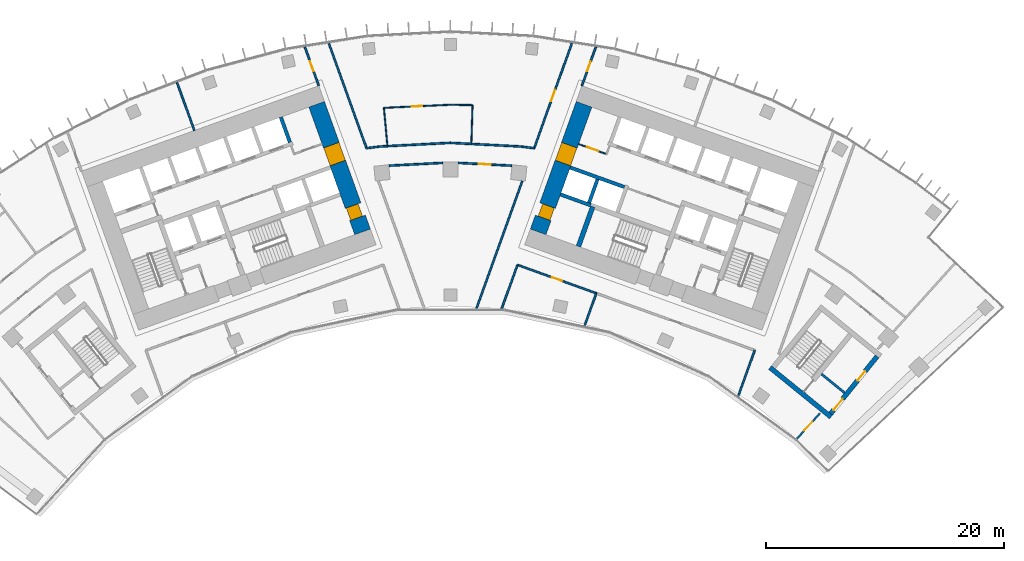
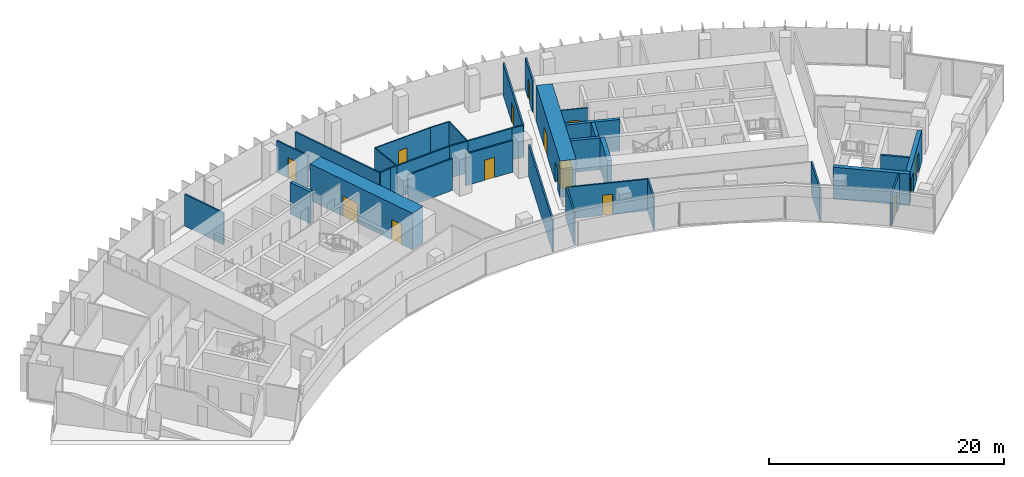
# One storey, part 16 of 21: 34 walls, 14 doors, 14 openings.
"""IFC4 building model written with IfcOpenShell, lengths in metres."""

from ifc_helpers import new_model, si_unit, direction, frame, frame_2d, origin, place, context, subcontext, project, spatial, rectangle, extrude, material, layer, layer_set, type_object, element, fill, save


model = new_model("IFC4")

# Units and contexts
model_context = context("Model", 3, precision=1e-05, world=origin(), true_north=direction((0.0, 1.0)))
body_context = subcontext(model_context, "Body", "Model", "MODEL_VIEW")
ifc_project = project(units=[si_unit("LENGTHUNIT", "METRE"), si_unit("AREAUNIT", "SQUARE_METRE"), si_unit("VOLUMEUNIT", "CUBIC_METRE"), si_unit("PLANEANGLEUNIT", "RADIAN"), si_unit("MASSUNIT", "GRAM", prefix="KILO")], contexts=[model_context])

# Site, building, storey
site_placement = place(None, origin())
site = spatial("IfcSite", under=ifc_project, at=site_placement, CompositionType="ELEMENT")
building_placement = place(site_placement, origin())
building = spatial("IfcBuilding", under=site, at=building_placement, Name="Stone Belt Terrace Tower", CompositionType="ELEMENT")
storey_placement = place(building_placement, frame((0.0, 0.0, 189.60009765625)))
storey = spatial("IfcBuildingStorey", under=building, at=storey_placement, Name="L46", CompositionType="ELEMENT", Elevation=189.60009765625)

# Wall, opening, door
ifc_material_1 = material(Name="Plasterboard partition")
ifc_layer_1 = layer(ifc_material_1, 0.10009765625)
ifc_layer_set_1 = layer_set([ifc_layer_1], Name="Core partition 100")
wall_type_1 = type_object("IfcWallType", Name="Core partition 100", PredefinedType="PARTITIONING", material=ifc_layer_set_1)
wall_1_placement = place(storey_placement, frame((13.085693359375, 56.294677734375, 0.0), z_axis=(0.0, 0.0, 1.0), x_axis=(-0.940922976849, 0.338620660383, 0.0)))
wall_1 = element("IfcWall", 1, at=wall_1_placement, inside=storey, type_object=wall_type_1, Name="Core B wall", PredefinedType="PARTITIONING", context=body_context, shape_type="SweptSolid", body=[
    extrude(rectangle(XDim=2.449951171875, YDim=0.10009765625, at=frame_2d((1.22509765625, 0.0))), origin(), (0.0, 0.0, 1.0), 3.2998046875),
])
opening_1_placement = place(wall_1_placement, frame((0.699951171875, 0.0, 0.0)))
opening_1 = element("IfcOpeningElement", 2, at=opening_1_placement, cuts=wall_1, Name="Opening L46-C11", PredefinedType="OPENING", context=body_context, shape_type="SweptSolid", body=[
    extrude(rectangle(XDim=1.0, YDim=2.10009765625, at=frame_2d((0.5, 1.050048828125))), frame((0.0, 0.06005859375, 0.0), z_axis=(0.0, -1.0, 0.0), x_axis=(1.0, 0.0, 0.0)), (0.0, 0.0, 1.0), 0.1201171875),
])
ifc_material_2 = material(Name="Timber door leaf", Category="wood")
door_type_1 = type_object("IfcDoorType", Name="Core room door 1000", OperationType="SINGLE_SWING_LEFT", PredefinedType="DOOR", material=ifc_material_2)
door_1_placement = place(opening_1_placement, origin())
door_1 = element("IfcDoor", 3, at=door_1_placement, inside=storey, type_object=door_type_1, Name="Door to Meeting store core B", OperationType="SINGLE_SWING_RIGHT", OverallHeight=2.10009765625, OverallWidth=1.0, PredefinedType="DOOR", context=body_context, shape_type="SweptSolid", body=[
    extrude(rectangle(XDim=1.0, YDim=2.10009765625, at=frame_2d((0.5, 1.050048828125))), frame((0.0, 0.02490234375, 0.0), z_axis=(0.0, -1.0, 0.0), x_axis=(1.0, 0.0, 0.0)), (0.0, 0.0, 1.0), 0.050048828125),
])
fill(opening_1, door_1)

# Wall, openings, doors
ifc_material_3 = material(Name="Concrete B80", Category="concrete")
ifc_layer_2 = layer(ifc_material_3, 1.39990234375)
ifc_layer_set_2 = layer_set([ifc_layer_2], Name="Core wall 1400 B80")
wall_type_2 = type_object("IfcWallType", Name="Core wall 1400 B80", PredefinedType="SHEAR", material=ifc_layer_set_2)
wall_2_placement = place(storey_placement, frame((-7.379150390625, 49.73974609375, 0.0), z_axis=(0.0, 0.0, 1.0), x_axis=(-0.338625431531, 0.940921259788, 0.0)))
wall_2 = element("IfcWall", 4, at=wall_2_placement, inside=storey, type_object=wall_type_2, Name="Core A wall end_b L46", PredefinedType="SHEAR", context=body_context, shape_type="SweptSolid", body=[
    extrude(rectangle(XDim=11.400146484375, YDim=1.39990234375, at=frame_2d((5.7001953125, 0.0))), origin(), (0.0, 0.0, 1.0), 3.7998046875),
])
opening_2_placement = place(wall_2_placement, frame((6.14990234375, 0.0, 0.0)))
opening_2 = element("IfcOpeningElement", 5, at=opening_2_placement, cuts=wall_2, Name="Opening L46-C04", PredefinedType="OPENING", context=body_context, shape_type="SweptSolid", body=[
    extrude(rectangle(XDim=1.60009765625, YDim=2.10009765625, at=frame_2d((0.800048828125, 1.050048828125))), frame((0.0, 0.7099609375, 0.0), z_axis=(0.0, -1.0, 0.0), x_axis=(1.0, 0.0, 0.0)), (0.0, 0.0, 1.0), 1.419921875),
])
opening_3_placement = place(wall_2_placement, frame((1.25, 0.0, 0.0)))
opening_3 = element("IfcOpeningElement", 6, at=opening_3_placement, cuts=wall_2, Name="Opening L46-C10", PredefinedType="OPENING", context=body_context, shape_type="SweptSolid", body=[
    extrude(rectangle(XDim=1.10009765625, YDim=2.10009765625, at=frame_2d((0.550048828125, 1.050048828125))), frame((0.0, 0.7099609375, 0.0), z_axis=(0.0, -1.0, 0.0), x_axis=(1.0, 0.0, 0.0)), (0.0, 0.0, 1.0), 1.419921875),
])
door_type_2 = type_object("IfcDoorType", Name="Core room door 1100", OperationType="SINGLE_SWING_LEFT", PredefinedType="DOOR", material=ifc_material_2)
door_2_placement = place(opening_3_placement, origin())
door_2 = element("IfcDoor", 7, at=door_2_placement, inside=storey, type_object=door_type_2, Name="Door to Electrical riser room core A", OperationType="SINGLE_SWING_LEFT", OverallHeight=2.10009765625, OverallWidth=1.10009765625, PredefinedType="DOOR", context=body_context, shape_type="SweptSolid", body=[
    extrude(rectangle(XDim=1.10009765625, YDim=2.10009765625, at=frame_2d((0.550048828125, 1.050048828125))), frame((0.0, 0.60498046875, 0.0), z_axis=(0.0, -1.0, 0.0), x_axis=(1.0, 0.0, 0.0)), (0.0, 0.0, 1.0), 1.050048828125),
])
fill(opening_3, door_2)
ifc_material_4 = material(Name="Glazed aluminium door leaf", Category="aluminium")
door_type_3 = type_object("IfcDoorType", Name="Lift lobby entrance door 1600", OperationType="DOUBLE_DOOR_SINGLE_SWING", PredefinedType="DOOR", material=ifc_material_4)
door_3_placement = place(opening_2_placement, origin())
door_3 = element("IfcDoor", 8, at=door_3_placement, inside=storey, type_object=door_type_3, Name="Lift lobby entrance door core A", OperationType="DOUBLE_DOOR_SINGLE_SWING", OverallHeight=2.10009765625, OverallWidth=1.60009765625, PredefinedType="DOOR", context=body_context, shape_type="SweptSolid", body=[
    extrude(rectangle(XDim=1.60009765625, YDim=2.10009765625, at=frame_2d((0.800048828125, 1.050048828125))), frame((0.0, 0.68017578125, 0.0), z_axis=(0.0, -1.0, 0.0), x_axis=(1.0, 0.0, 0.0)), (0.0, 0.0, 1.0), 1.360107421875),
])
fill(opening_2, door_3)

wall_3_placement = place(storey_placement, frame((7.379150390625, 49.73974609375, 0.0), z_axis=(0.0, 0.0, 1.0), x_axis=(0.338625431531, 0.940921259788, 0.0)))
wall_3 = element("IfcWall", 9, at=wall_3_placement, inside=storey, type_object=wall_type_2, Name="Core B wall end_a L46", PredefinedType="SHEAR", context=body_context, shape_type="SweptSolid", body=[
    extrude(rectangle(XDim=11.400146484375, YDim=1.39990234375, at=frame_2d((5.7001953125, 0.0))), origin(), (0.0, 0.0, 1.0), 3.7998046875),
])
opening_4_placement = place(wall_3_placement, frame((6.14990234375, 0.0, 0.0)))
opening_4 = element("IfcOpeningElement", 10, at=opening_4_placement, cuts=wall_3, Name="Opening L46-C14", PredefinedType="OPENING", context=body_context, shape_type="SweptSolid", body=[
    extrude(rectangle(XDim=1.60009765625, YDim=2.10009765625, at=frame_2d((0.800048828125, 1.050048828125))), frame((0.0, 0.7099609375, 0.0), z_axis=(0.0, -1.0, 0.0), x_axis=(1.0, 0.0, 0.0)), (0.0, 0.0, 1.0), 1.419921875),
])
opening_5_placement = place(wall_3_placement, frame((1.25, 0.0, 0.0)))
opening_5 = element("IfcOpeningElement", 11, at=opening_5_placement, cuts=wall_3, Name="Opening L46-C20", PredefinedType="OPENING", context=body_context, shape_type="SweptSolid", body=[
    extrude(rectangle(XDim=1.10009765625, YDim=2.10009765625, at=frame_2d((0.550048828125, 1.050048828125))), frame((0.0, 0.7099609375, 0.0), z_axis=(0.0, -1.0, 0.0), x_axis=(1.0, 0.0, 0.0)), (0.0, 0.0, 1.0), 1.419921875),
])
door_4_placement = place(opening_5_placement, origin())
door_4 = element("IfcDoor", 12, at=door_4_placement, inside=storey, type_object=door_type_2, Name="Door to Electrical riser room core B", OperationType="SINGLE_SWING_RIGHT", OverallHeight=2.10009765625, OverallWidth=1.10009765625, PredefinedType="DOOR", context=body_context, shape_type="SweptSolid", body=[
    extrude(rectangle(XDim=1.10009765625, YDim=2.10009765625, at=frame_2d((0.550048828125, 1.050048828125))), frame((0.0, 0.44482421875, 0.0), z_axis=(0.0, -1.0, 0.0), x_axis=(1.0, 0.0, 0.0)), (0.0, 0.0, 1.0), 1.050048828125),
])
fill(opening_5, door_4)
door_5_placement = place(opening_4_placement, origin())
door_5 = element("IfcDoor", 13, at=door_5_placement, inside=storey, type_object=door_type_3, Name="Lift lobby entrance door core B", OperationType="DOUBLE_DOOR_SINGLE_SWING", OverallHeight=2.10009765625, OverallWidth=1.60009765625, PredefinedType="DOOR", context=body_context, shape_type="SweptSolid", body=[
    extrude(rectangle(XDim=1.60009765625, YDim=2.10009765625, at=frame_2d((0.800048828125, 1.050048828125))), frame((0.0, 0.68017578125, 0.0), z_axis=(0.0, -1.0, 0.0), x_axis=(1.0, 0.0, 0.0)), (0.0, 0.0, 1.0), 1.360107421875),
])
fill(opening_4, door_5)

# Walls
ifc_layer_3 = layer(ifc_material_3, 0.300048828125)
ifc_layer_set_3 = layer_set([ifc_layer_3], Name="Lift shaft wall 300")
wall_type_3 = type_object("IfcWallType", Name="Lift shaft wall 300", PredefinedType="SHEAR", material=ifc_layer_set_3)
wall_4_placement = place(storey_placement, frame((-13.48828125, 57.265625, 0.0), z_axis=(0.0, 0.0, 1.0), x_axis=(-0.338631098537, 0.940919220286, 0.0)))
element("IfcWall", 14, at=wall_4_placement, inside=storey, type_object=wall_type_3, Name="Core A wall", PredefinedType="SHEAR", context=body_context, shape_type="SweptSolid", body=[
    extrude(rectangle(XDim=2.250244140625, YDim=0.300048828125, at=frame_2d((1.125, 0.0))), origin(), (0.0, 0.0, 1.0), 3.2998046875),
])
wall_5_placement = place(storey_placement, frame((14.6328125, 53.506103515625, 0.0), z_axis=(0.0, 0.0, 1.0), x_axis=(-0.940931684323, 0.338596464007, 0.0)))
element("IfcWall", 15, at=wall_5_placement, inside=storey, type_object=wall_type_3, Name="Core B wall", PredefinedType="SHEAR", context=body_context, shape_type="SweptSolid", body=[
    extrude(rectangle(XDim=4.849609375, YDim=0.300048828125, at=frame_2d((2.4248046875, 0.0))), origin(), (0.0, 0.0, 1.0), 3.2998046875),
])
wall_6_placement = place(storey_placement, frame((11.797119140625, 51.975830078125, 0.0), z_axis=(0.0, 0.0, 1.0), x_axis=(-0.940910465161, 0.33865542451, 0.0)))
element("IfcWall", 16, at=wall_6_placement, inside=storey, type_object=wall_type_3, Name="Core B wall", PredefinedType="SHEAR", context=body_context, shape_type="SweptSolid", body=[
    extrude(rectangle(XDim=2.69970703125, YDim=0.300048828125, at=frame_2d((1.349853515625, 0.0))), origin(), (0.0, 0.0, 1.0), 3.2998046875),
])
wall_7_placement = place(storey_placement, frame((11.659912109375, 52.184814453125, 0.0), z_axis=(0.0, 0.0, 1.0), x_axis=(0.338670064856, 0.940905195634, 0.0)))
element("IfcWall", 17, at=wall_7_placement, inside=storey, type_object=wall_type_3, Name="Core B wall", PredefinedType="SHEAR", context=body_context, shape_type="SweptSolid", body=[
    extrude(rectangle(XDim=2.099853515625, YDim=0.300048828125, at=frame_2d((1.0498046875, 0.0))), origin(), (0.0, 0.0, 1.0), 3.2998046875),
])
ifc_material_5 = material(Name="Gypsum board partition")
ifc_layer_4 = layer(ifc_material_5, 0.10009765625)
ifc_layer_set_4 = layer_set([ifc_layer_4], Name="PARTITION 100")
wall_type_4 = type_object("IfcWallType", Name="PARTITION 100", PredefinedType="PARTITIONING", material=ifc_layer_set_4)
wall_8_placement = place(storey_placement, frame((1.762939453125, 57.133056640625, 0.0), z_axis=(0.0, 0.0, 1.0), x_axis=(0.030961580112, 0.999520575354, 0.0)))
element("IfcWall", 18, at=wall_8_placement, inside=storey, type_object=wall_type_4, Name="L46/wall/i066", PredefinedType="PARTITIONING", context=body_context, shape_type="SweptSolid", body=[
    extrude(rectangle(XDim=3.264404296875, YDim=0.10009765625, at=frame_2d((1.63232421875, 0.0))), origin(), (0.0, 0.0, 1.0), 3.2998046875),
])
wall_9_placement = place(storey_placement, frame((1.864013671875, 60.39599609375, 0.0), z_axis=(0.0, 0.0, 1.0), x_axis=(-0.999878558611, 0.015584223769, 0.0)))
element("IfcWall", 19, at=wall_9_placement, inside=storey, type_object=wall_type_4, Name="L46/wall/i067", PredefinedType="PARTITIONING", context=body_context, shape_type="SweptSolid", body=[
    extrude(rectangle(XDim=1.8642578125, YDim=0.10009765625, at=frame_2d((0.93212890625, 0.0))), origin(), (0.0, 0.0, 1.0), 3.2998046875),
])

# Wall, opening, door
wall_10_placement = place(storey_placement, frame((0.0, 60.425048828125, 0.0), z_axis=(0.0, 0.0, 1.0), x_axis=(-0.998926532274, -0.046322598372, 0.0)))
wall_10 = element("IfcWall", 20, at=wall_10_placement, inside=storey, type_object=wall_type_4, Name="L46/wall/i068", PredefinedType="PARTITIONING", context=body_context, shape_type="SweptSolid", body=[
    extrude(rectangle(XDim=5.592041015625, YDim=0.10009765625, at=frame_2d((2.7958984375, 0.0))), origin(), (0.0, 0.0, 1.0), 3.2998046875),
])
opening_6_placement = place(wall_10_placement, frame((2.345947265625, 0.0, 0.0)))
opening_6 = element("IfcOpeningElement", 21, at=opening_6_placement, cuts=wall_10, Name="Opening D-C5-21", PredefinedType="OPENING", context=body_context, shape_type="SweptSolid", body=[
    extrude(rectangle(XDim=0.89990234375, YDim=2.10009765625, at=frame_2d((0.449951171875, 1.050048828125))), frame((0.0, 0.06005859375, 0.0), z_axis=(0.0, -1.0, 0.0), x_axis=(1.0, 0.0, 0.0)), (0.0, 0.0, 1.0), 0.1201171875),
])
door_type_4 = type_object("IfcDoorType", Name="OFFICE DOOR 900 X 2100", OperationType="NOTDEFINED", PredefinedType="DOOR", material=ifc_material_2)
door_6_placement = place(opening_6_placement, origin())
door_6 = element("IfcDoor", 22, at=door_6_placement, inside=storey, type_object=door_type_4, Name="L46/door/i21", OperationType="SINGLE_SWING_RIGHT", OverallHeight=2.10009765625, OverallWidth=0.89990234375, PredefinedType="DOOR", context=body_context, shape_type="SweptSolid", body=[
    extrude(rectangle(XDim=0.89990234375, YDim=2.10009765625, at=frame_2d((0.449951171875, 1.050048828125))), frame((0.0, 0.02490234375, 0.0), z_axis=(0.0, -1.0, 0.0), x_axis=(1.0, 0.0, 0.0)), (0.0, 0.0, 1.0), 0.050048828125),
])
fill(opening_6, door_6)

# Wall
wall_11_placement = place(storey_placement, frame((-5.5859375, 60.166015625, 0.0), z_axis=(0.0, 0.0, 1.0), x_axis=(0.092463130061, -0.995716108928, 0.0)))
element("IfcWall", 23, at=wall_11_placement, inside=storey, type_object=wall_type_4, Name="L46/wall/i069", PredefinedType="PARTITIONING", context=body_context, shape_type="SweptSolid", body=[
    extrude(rectangle(XDim=3.23193359375, YDim=0.10009765625, at=frame_2d((1.615966796875, 0.0))), origin(), (0.0, 0.0, 1.0), 3.2998046875),
])

# Wall, opening, door
ifc_layer_5 = layer(ifc_material_5, 0.14990234375)
ifc_layer_set_5 = layer_set([ifc_layer_5], Name="PARTITION 150 EI 60")
wall_type_5 = type_object("IfcWallType", Name="PARTITION 150 EI 60", PredefinedType="PARTITIONING", material=ifc_layer_set_5)
wall_12_placement = place(storey_placement, frame((-11.054931640625, 62.02099609375, 0.0), z_axis=(0.0, 0.0, 1.0), x_axis=(-0.338853532575, 0.94083913793, 0.0)))
wall_12 = element("IfcWall", 24, at=wall_12_placement, inside=storey, type_object=wall_type_5, Name="L46/wall/i008", PredefinedType="PARTITIONING", context=body_context, shape_type="SweptSolid", body=[
    extrude(rectangle(XDim=3.482177734375, YDim=0.14990234375, at=frame_2d((1.7412109375, 0.0))), origin(), (0.0, 0.0, 1.0), 3.2998046875),
])
opening_7_placement = place(wall_12_placement, frame((1.291015625, 0.0, 0.0)))
opening_7 = element("IfcOpeningElement", 25, at=opening_7_placement, cuts=wall_12, Name="Opening D-C5-04", PredefinedType="OPENING", context=body_context, shape_type="SweptSolid", body=[
    extrude(rectangle(XDim=0.89990234375, YDim=2.10009765625, at=frame_2d((0.449951171875, 1.050048828125))), frame((0.0, 0.0849609375, 0.0), z_axis=(0.0, -1.0, 0.0), x_axis=(1.0, 0.0, 0.0)), (0.0, 0.0, 1.0), 0.169921875),
])
door_7_placement = place(opening_7_placement, origin())
door_7 = element("IfcDoor", 26, at=door_7_placement, inside=storey, type_object=door_type_4, Name="L46/door/i04", OperationType="SINGLE_SWING_RIGHT", OverallHeight=2.10009765625, OverallWidth=0.89990234375, PredefinedType="DOOR", context=body_context, shape_type="SweptSolid", body=[
    extrude(rectangle(XDim=0.89990234375, YDim=2.10009765625, at=frame_2d((0.449951171875, 1.050048828125))), frame((0.0, 0.02490234375, 0.0), z_axis=(0.0, -1.0, 0.0), x_axis=(1.0, 0.0, 0.0)), (0.0, 0.0, 1.0), 0.050048828125),
])
fill(opening_7, door_7)

# Walls
wall_13_placement = place(storey_placement, frame((-10.223876953125, 65.6162109375, 0.0), z_axis=(0.0, 0.0, 1.0), x_axis=(0.338637655092, -0.940916860596, 0.0)))
element("IfcWall", 27, at=wall_13_placement, inside=storey, type_object=wall_type_5, Name="L46/wall/i010", PredefinedType="PARTITIONING", context=body_context, shape_type="SweptSolid", body=[
    extrude(rectangle(XDim=9.40478515625, YDim=0.14990234375, at=frame_2d((4.702392578125, 0.0))), origin(), (0.0, 0.0, 1.0), 3.2998046875),
])
wall_14_placement = place(storey_placement, frame((-22.978759765625, 62.31201171875, 0.0), z_axis=(0.0, 0.0, 1.0), x_axis=(0.338545023912, -0.940950193573, 0.0)))
element("IfcWall", 28, at=wall_14_placement, inside=storey, type_object=wall_type_5, Name="L46/wall/i015", PredefinedType="PARTITIONING", context=body_context, shape_type="SweptSolid", body=[
    extrude(rectangle(XDim=4.311767578125, YDim=0.14990234375, at=frame_2d((2.15576171875, 0.0))), origin(), (0.0, 0.0, 1.0), 3.2998046875),
])
wall_15_placement = place(storey_placement, frame((5.638916015625, 46.971923828125, 0.0), z_axis=(0.0, 0.0, 1.0), x_axis=(-0.338490436495, -0.940969831823, 0.0)))
element("IfcWall", 29, at=wall_15_placement, inside=storey, type_object=wall_type_5, Name="L46/wall/i016", PredefinedType="PARTITIONING", context=body_context, shape_type="SweptSolid", body=[
    extrude(rectangle(XDim=3.92578125, YDim=0.14990234375, at=frame_2d((1.962890625, 0.0))), origin(), (0.0, 0.0, 1.0), 3.2998046875),
])

# Wall, opening, door
wall_16_placement = place(storey_placement, frame((12.23486328125, 65.297119140625, 0.0), z_axis=(0.0, 0.0, 1.0), x_axis=(-0.338853532575, -0.94083913793, 0.0)))
wall_16 = element("IfcWall", 30, at=wall_16_placement, inside=storey, type_object=wall_type_5, Name="L46/wall/i017", PredefinedType="PARTITIONING", context=body_context, shape_type="SweptSolid", body=[
    extrude(rectangle(XDim=3.482177734375, YDim=0.14990234375, at=frame_2d((1.7412109375, 0.0))), origin(), (0.0, 0.0, 1.0), 3.2998046875),
])
opening_8_placement = place(wall_16_placement, frame((1.291015625, 0.0, 0.0)))
opening_8 = element("IfcOpeningElement", 31, at=opening_8_placement, cuts=wall_16, Name="Opening D-C5-07", PredefinedType="OPENING", context=body_context, shape_type="SweptSolid", body=[
    extrude(rectangle(XDim=0.89990234375, YDim=2.10009765625, at=frame_2d((0.449951171875, 1.050048828125))), frame((0.0, 0.0849609375, 0.0), z_axis=(0.0, -1.0, 0.0), x_axis=(1.0, 0.0, 0.0)), (0.0, 0.0, 1.0), 0.169921875),
])
door_8_placement = place(opening_8_placement, origin())
door_8 = element("IfcDoor", 32, at=door_8_placement, inside=storey, type_object=door_type_4, Name="L46/door/i07", OperationType="SINGLE_SWING_RIGHT", OverallHeight=2.10009765625, OverallWidth=0.89990234375, PredefinedType="DOOR", context=body_context, shape_type="SweptSolid", body=[
    extrude(rectangle(XDim=0.89990234375, YDim=2.10009765625, at=frame_2d((0.449951171875, 1.050048828125))), frame((0.0, 0.02490234375, 0.0), z_axis=(0.0, -1.0, 0.0), x_axis=(1.0, 0.0, 0.0)), (0.0, 0.0, 1.0), 0.050048828125),
])
fill(opening_8, door_8)

# Wall
wall_17_placement = place(storey_placement, frame((2.1787109375, 43.26171875, 0.0), z_axis=(0.0, 0.0, 1.0), x_axis=(0.338658916341, 0.940909208363, 0.0)))
element("IfcWall", 33, at=wall_17_placement, inside=storey, type_object=wall_type_5, Name="L46/wall/i018", PredefinedType="PARTITIONING", context=body_context, shape_type="SweptSolid", body=[
    extrude(rectangle(XDim=11.422119140625, YDim=0.14990234375, at=frame_2d((5.7109375, 0.0))), origin(), (0.0, 0.0, 1.0), 3.2998046875),
])

# Wall, opening, door
wall_18_placement = place(storey_placement, frame((7.0390625, 56.76708984375, 0.0), z_axis=(0.0, 0.0, 1.0), x_axis=(0.338637655092, 0.940916860596, 0.0)))
wall_18 = element("IfcWall", 34, at=wall_18_placement, inside=storey, type_object=wall_type_5, Name="L46/wall/i019", PredefinedType="PARTITIONING", context=body_context, shape_type="SweptSolid", body=[
    extrude(rectangle(XDim=9.40478515625, YDim=0.14990234375, at=frame_2d((4.702392578125, 0.0))), origin(), (0.0, 0.0, 1.0), 3.2998046875),
])
opening_9_placement = place(wall_18_placement, frame((4.202392578125, 0.0, 0.0)))
opening_9 = element("IfcOpeningElement", 35, at=opening_9_placement, cuts=wall_18, Name="Opening D-C5-20", PredefinedType="OPENING", context=body_context, shape_type="SweptSolid", body=[
    extrude(rectangle(XDim=1.0, YDim=2.10009765625, at=frame_2d((0.5, 1.050048828125))), frame((0.0, 0.0849609375, 0.0), z_axis=(0.0, -1.0, 0.0), x_axis=(1.0, 0.0, 0.0)), (0.0, 0.0, 1.0), 0.169921875),
])
ifc_material_6 = material(Name="Timber fire door leaf", Category="wood")
door_type_5 = type_object("IfcDoorType", Name="TENANCY ENTRANCE DOOR 1000 X 2100", OperationType="NOTDEFINED", PredefinedType="DOOR", material=ifc_material_6)
door_9_placement = place(opening_9_placement, origin())
door_9 = element("IfcDoor", 36, at=door_9_placement, inside=storey, type_object=door_type_5, Name="L46/door/i20", OperationType="SINGLE_SWING_RIGHT", OverallHeight=2.10009765625, OverallWidth=1.0, PredefinedType="DOOR", context=body_context, shape_type="SweptSolid", body=[
    extrude(rectangle(XDim=1.0, YDim=2.10009765625, at=frame_2d((0.5, 1.050048828125))), frame((0.0, 0.02490234375, 0.0), z_axis=(0.0, -1.0, 0.0), x_axis=(1.0, 0.0, 0.0)), (0.0, 0.0, 1.0), 0.050048828125),
])
fill(opening_9, door_9)

# Wall
wall_19_placement = place(storey_placement, frame((24.18603515625, 35.902099609375, 0.0), z_axis=(0.0, 0.0, 1.0), x_axis=(0.338545933013, 0.940949866486, 0.0)))
element("IfcWall", 37, at=wall_19_placement, inside=storey, type_object=wall_type_5, Name="L46/wall/i020", PredefinedType="PARTITIONING", context=body_context, shape_type="SweptSolid", body=[
    extrude(rectangle(XDim=4.135009765625, YDim=0.14990234375, at=frame_2d((2.0673828125, 0.0))), origin(), (0.0, 0.0, 1.0), 3.2998046875),
])

# Wall, opening, door
wall_20_placement = place(storey_placement, frame((31.054931640625, 34.489990234375, 0.0), z_axis=(0.0, 0.0, 1.0), x_axis=(-0.668923018297, -0.743331686121, 0.0)))
wall_20 = element("IfcWall", 38, at=wall_20_placement, inside=storey, type_object=wall_type_5, Name="L46/wall/i022", PredefinedType="PARTITIONING", context=body_context, shape_type="SweptSolid", body=[
    extrude(rectangle(XDim=2.910400390625, YDim=0.14990234375, at=frame_2d((1.455078125, 0.0))), origin(), (0.0, 0.0, 1.0), 3.2998046875),
])
opening_10_placement = place(wall_20_placement, frame((0.955078125, 0.0, 0.0)))
opening_10 = element("IfcOpeningElement", 39, at=opening_10_placement, cuts=wall_20, Name="Opening D-C5-16", PredefinedType="OPENING", context=body_context, shape_type="SweptSolid", body=[
    extrude(rectangle(XDim=1.0, YDim=2.10009765625, at=frame_2d((0.5, 1.050048828125))), frame((0.0, 0.0849609375, 0.0), z_axis=(0.0, -1.0, 0.0), x_axis=(1.0, 0.0, 0.0)), (0.0, 0.0, 1.0), 0.169921875),
])
door_10_placement = place(opening_10_placement, origin())
door_10 = element("IfcDoor", 40, at=door_10_placement, inside=storey, type_object=door_type_5, Name="L46/door/i16", OperationType="SINGLE_SWING_RIGHT", OverallHeight=2.10009765625, OverallWidth=1.0, PredefinedType="DOOR", context=body_context, shape_type="SweptSolid", body=[
    extrude(rectangle(XDim=1.0, YDim=2.10009765625, at=frame_2d((0.5, 1.050048828125))), frame((0.0, 0.02490234375, 0.0), z_axis=(0.0, -1.0, 0.0), x_axis=(1.0, 0.0, 0.0)), (0.0, 0.0, 1.0), 0.050048828125),
])
fill(opening_10, door_10)

wall_21_placement = place(storey_placement, frame((12.27392578125, 44.576904296875, 0.0), z_axis=(0.0, 0.0, 1.0), x_axis=(-0.940894029898, 0.338701084296, 0.0)))
wall_21 = element("IfcWall", 41, at=wall_21_placement, inside=storey, type_object=wall_type_5, Name="L46/wall/i025", PredefinedType="PARTITIONING", context=body_context, shape_type="SweptSolid", body=[
    extrude(rectangle(XDim=7.053955078125, YDim=0.14990234375, at=frame_2d((3.52685546875, 0.0))), origin(), (0.0, 0.0, 1.0), 3.2998046875),
])
opening_11_placement = place(wall_21_placement, frame((3.076904296875, 0.0, 0.0)))
opening_11 = element("IfcOpeningElement", 42, at=opening_11_placement, cuts=wall_21, Name="Opening D-C5-05", PredefinedType="OPENING", context=body_context, shape_type="SweptSolid", body=[
    extrude(rectangle(XDim=0.89990234375, YDim=2.10009765625, at=frame_2d((0.449951171875, 1.050048828125))), frame((0.0, 0.0849609375, 0.0), z_axis=(0.0, -1.0, 0.0), x_axis=(1.0, 0.0, 0.0)), (0.0, 0.0, 1.0), 0.169921875),
])
door_11_placement = place(opening_11_placement, origin())
door_11 = element("IfcDoor", 43, at=door_11_placement, inside=storey, type_object=door_type_4, Name="L46/door/i05", OperationType="SINGLE_SWING_RIGHT", OverallHeight=2.10009765625, OverallWidth=0.89990234375, PredefinedType="DOOR", context=body_context, shape_type="SweptSolid", body=[
    extrude(rectangle(XDim=0.89990234375, YDim=2.10009765625, at=frame_2d((0.449951171875, 1.050048828125))), frame((0.0, 0.02490234375, 0.0), z_axis=(0.0, -1.0, 0.0), x_axis=(1.0, 0.0, 0.0)), (0.0, 0.0, 1.0), 0.050048828125),
])
fill(opening_11, door_11)

# Wall
wall_22_placement = place(storey_placement, frame((12.26806640625, 44.580078125, 0.0), z_axis=(0.0, 0.0, 1.0), x_axis=(-0.338574481555, -0.940939594469, 0.0)))
element("IfcWall", 44, at=wall_22_placement, inside=storey, type_object=wall_type_5, Name="L46/wall/i027", PredefinedType="PARTITIONING", context=body_context, shape_type="SweptSolid", body=[
    extrude(rectangle(XDim=2.921875, YDim=0.14990234375, at=frame_2d((1.4609375, 0.0))), origin(), (0.0, 0.0, 1.0), 3.2998046875),
])

# Wall, opening, door
wall_23_placement = place(storey_placement, frame((5.154296875, 55.30517578125, 0.0), z_axis=(0.0, 0.0, 1.0), x_axis=(-0.99863186448, 0.052291483489, 0.0)))
wall_23 = element("IfcWall", 45, at=wall_23_placement, inside=storey, type_object=wall_type_5, Name="L46/wall/i058", PredefinedType="PARTITIONING", context=body_context, shape_type="SweptSolid", body=[
    extrude(rectangle(XDim=4.50537109375, YDim=0.14990234375, at=frame_2d((2.252685546875, 0.0))), origin(), (0.0, 0.0, 1.0), 3.2998046875),
])
opening_12_placement = place(wall_23_placement, frame((1.752685546875, 0.0, 0.0)))
opening_12 = element("IfcOpeningElement", 46, at=opening_12_placement, cuts=wall_23, Name="Opening D-C5-19", PredefinedType="OPENING", context=body_context, shape_type="SweptSolid", body=[
    extrude(rectangle(XDim=1.0, YDim=2.10009765625, at=frame_2d((0.5, 1.050048828125))), frame((0.0, 0.0849609375, 0.0), z_axis=(0.0, -1.0, 0.0), x_axis=(1.0, 0.0, 0.0)), (0.0, 0.0, 1.0), 0.169921875),
])
door_12_placement = place(opening_12_placement, origin())
door_12 = element("IfcDoor", 47, at=door_12_placement, inside=storey, type_object=door_type_5, Name="L46/door/i19", OperationType="SINGLE_SWING_RIGHT", OverallHeight=2.10009765625, OverallWidth=1.0, PredefinedType="DOOR", context=body_context, shape_type="SweptSolid", body=[
    extrude(rectangle(XDim=1.0, YDim=2.10009765625, at=frame_2d((0.5, 1.050048828125))), frame((0.0, 0.02490234375, 0.0), z_axis=(0.0, -1.0, 0.0), x_axis=(1.0, 0.0, 0.0)), (0.0, 0.0, 1.0), 0.050048828125),
])
fill(opening_12, door_12)

# Walls
wall_24_placement = place(storey_placement, frame((-0.655029296875, 55.540771484375, 0.0), z_axis=(0.0, 0.0, 1.0), x_axis=(-0.99863186448, -0.052291483489, 0.0)))
element("IfcWall", 48, at=wall_24_placement, inside=storey, type_object=wall_type_5, Name="L46/wall/i059", PredefinedType="PARTITIONING", context=body_context, shape_type="SweptSolid", body=[
    extrude(rectangle(XDim=4.50537109375, YDim=0.14990234375, at=frame_2d((2.252685546875, 0.0))), origin(), (0.0, 0.0, 1.0), 3.2998046875),
])
wall_25_placement = place(storey_placement, frame((-7.041015625, 56.77294921875, 0.0), z_axis=(0.0, 0.0, 1.0), x_axis=(0.991477617634, 0.130277142013, 0.0)))
element("IfcWall", 49, at=wall_25_placement, inside=storey, type_object=wall_type_5, Name="L46/wall/i060", PredefinedType="PARTITIONING", context=body_context, shape_type="SweptSolid", body=[
    extrude(rectangle(XDim=1.068115234375, YDim=0.14990234375, at=frame_2d((0.5341796875, 0.0))), origin(), (0.0, 0.0, 1.0), 3.2998046875),
])
wall_26_placement = place(storey_placement, frame((-5.98193359375, 56.912109375, 0.0), z_axis=(0.0, 0.0, 1.0), x_axis=(0.998619750377, 0.052522320553, 0.0)))
element("IfcWall", 50, at=wall_26_placement, inside=storey, type_object=wall_type_5, Name="L46/wall/i061", PredefinedType="PARTITIONING", context=body_context, shape_type="SweptSolid", body=[
    extrude(rectangle(XDim=0.701904296875, YDim=0.14990234375, at=frame_2d((0.35107421875, 0.0))), origin(), (0.0, 0.0, 1.0), 3.2998046875),
])
wall_27_placement = place(storey_placement, frame((1.757080078125, 57.133056640625, 0.0), z_axis=(0.0, 0.0, 1.0), x_axis=(0.998635309304, -0.052225654719, 0.0)))
element("IfcWall", 51, at=wall_27_placement, inside=storey, type_object=wall_type_5, Name="L46/wall/i062", PredefinedType="PARTITIONING", context=body_context, shape_type="SweptSolid", body=[
    extrude(rectangle(XDim=4.230712890625, YDim=0.14990234375, at=frame_2d((2.115234375, 0.0))), origin(), (0.0, 0.0, 1.0), 3.2998046875),
])
wall_28_placement = place(storey_placement, frame((5.98193359375, 56.912109375, 0.0), z_axis=(0.0, 0.0, 1.0), x_axis=(0.991477617634, -0.130277142013, 0.0)))
element("IfcWall", 52, at=wall_28_placement, inside=storey, type_object=wall_type_5, Name="L46/wall/i063", PredefinedType="PARTITIONING", context=body_context, shape_type="SweptSolid", body=[
    extrude(rectangle(XDim=1.068115234375, YDim=0.14990234375, at=frame_2d((0.5341796875, 0.0))), origin(), (0.0, 0.0, 1.0), 3.2998046875),
])
wall_29_placement = place(storey_placement, frame((-5.29296875, 56.947998046875, 0.0), z_axis=(0.0, 0.0, 1.0), x_axis=(0.998632423706, 0.052280802625, 0.0)))
element("IfcWall", 53, at=wall_29_placement, inside=storey, type_object=wall_type_5, Name="L46/wall/i064", PredefinedType="PARTITIONING", context=body_context, shape_type="SweptSolid", body=[
    extrude(rectangle(XDim=5.30029296875, YDim=0.14990234375, at=frame_2d((2.650146484375, 0.0))), origin(), (0.0, 0.0, 1.0), 3.2998046875),
])
wall_30_placement = place(storey_placement, frame((0.0, 57.22509765625, 0.0), z_axis=(0.0, 0.0, 1.0), x_axis=(0.998620493014, -0.052508198708, 0.0)))
element("IfcWall", 54, at=wall_30_placement, inside=storey, type_object=wall_type_5, Name="L46/wall/i065", PredefinedType="PARTITIONING", context=body_context, shape_type="SweptSolid", body=[
    extrude(rectangle(XDim=1.771484375, YDim=0.14990234375, at=frame_2d((0.8857421875, 0.0))), origin(), (0.0, 0.0, 1.0), 3.2998046875),
])
ifc_material_7 = material(Name="Concrete masonry block", Category="masonry")
ifc_layer_6 = layer(ifc_material_7, 0.199951171875)
ifc_layer_set_6 = layer_set([ifc_layer_6], Name="Rated lobby wall 200")
wall_type_6 = type_object("IfcWallType", Name="Rated lobby wall 200", PredefinedType="PARTITIONING", material=ifc_layer_set_6)
wall_31_placement = place(storey_placement, frame((31.190673828125, 37.79296875, 0.0), z_axis=(0.0, 0.0, 1.0), x_axis=(0.776370830301, -0.630276394813, 0.0)))
element("IfcWall", 55, at=wall_31_placement, inside=storey, type_object=wall_type_6, Name="Exit stair ST3B wall", PredefinedType="PARTITIONING", context=body_context, shape_type="SweptSolid", body=[
    extrude(rectangle(XDim=2.5, YDim=0.199951171875, at=frame_2d((1.25, 0.0))), origin(), (0.0, 0.0, 1.0), 3.2998046875),
])
ifc_layer_7 = layer(ifc_material_3, 0.39990234375)
ifc_layer_set_7 = layer_set([ifc_layer_7], Name="Stair enclosure wall 400")
wall_type_7 = type_object("IfcWallType", Name="Stair enclosure wall 400", PredefinedType="SHEAR", material=ifc_layer_set_7)
wall_32_placement = place(storey_placement, frame((10.766357421875, 48.520751953125, 0.0), z_axis=(0.0, 0.0, 1.0), x_axis=(0.338626928157, 0.94092072117, 0.0)))
element("IfcWall", 56, at=wall_32_placement, inside=storey, type_object=wall_type_7, Name="Core B wall", PredefinedType="SHEAR", context=body_context, shape_type="SweptSolid", body=[
    extrude(rectangle(XDim=3.550048828125, YDim=0.39990234375, at=frame_2d((1.77490234375, 0.0))), origin(), (0.0, 0.0, 1.0), 3.2998046875),
])
wall_33_placement = place(storey_placement, frame((26.868408203125, 38.3388671875, 0.0), z_axis=(0.0, 0.0, 1.0), x_axis=(0.776428452498, -0.630205409491, 0.0)))
element("IfcWall", 57, at=wall_33_placement, inside=storey, type_object=wall_type_7, Name="Exit stair ST3B wall", PredefinedType="SHEAR", context=body_context, shape_type="SweptSolid", body=[
    extrude(rectangle(XDim=6.60009765625, YDim=0.39990234375, at=frame_2d((3.300048828125, 0.0))), origin(), (0.0, 0.0, 1.0), 3.2998046875),
])

# Wall, openings, doors
wall_34_placement = place(storey_placement, frame((31.963623046875, 34.460693359375, 0.0), z_axis=(0.0, 0.0, 1.0), x_axis=(0.630192283849, 0.776439106033, 0.0)))
wall_34 = element("IfcWall", 58, at=wall_34_placement, inside=storey, type_object=wall_type_7, Name="Exit stair ST3B wall", PredefinedType="SHEAR", context=body_context, shape_type="SweptSolid", body=[
    extrude(rectangle(XDim=6.199951171875, YDim=0.39990234375, at=frame_2d((3.10009765625, 0.0))), origin(), (0.0, 0.0, 1.0), 3.2998046875),
])
opening_13_placement = place(wall_34_placement, frame((0.39990234375, 0.0, 0.0)))
opening_13 = element("IfcOpeningElement", 59, at=opening_13_placement, cuts=wall_34, Name="Opening L46-C25", PredefinedType="OPENING", context=body_context, shape_type="SweptSolid", body=[
    extrude(rectangle(XDim=1.199951171875, YDim=2.10009765625, at=frame_2d((0.60009765625, 1.050048828125))), frame((0.0, 0.2099609375, 0.0), z_axis=(0.0, -1.0, 0.0), x_axis=(1.0, 0.0, 0.0)), (0.0, 0.0, 1.0), 0.419921875),
])
opening_14_placement = place(wall_34_placement, frame((3.60009765625, 0.0, 0.0)))
opening_14 = element("IfcOpeningElement", 60, at=opening_14_placement, cuts=wall_34, Name="Opening L46-C26", PredefinedType="OPENING", context=body_context, shape_type="SweptSolid", body=[
    extrude(rectangle(XDim=1.0, YDim=2.10009765625, at=frame_2d((0.5, 1.050048828125))), frame((0.0, 0.2099609375, 0.0), z_axis=(0.0, -1.0, 0.0), x_axis=(1.0, 0.0, 0.0)), (0.0, 0.0, 1.0), 0.419921875),
])
door_13_placement = place(opening_14_placement, origin())
door_13 = element("IfcDoor", 61, at=door_13_placement, inside=storey, type_object=door_type_1, Name="Door to stair pressurisation plant room ST3B", OperationType="SINGLE_SWING_LEFT", OverallHeight=2.10009765625, OverallWidth=1.0, PredefinedType="DOOR", context=body_context, shape_type="SweptSolid", body=[
    extrude(rectangle(XDim=1.0, YDim=2.10009765625, at=frame_2d((0.5, 1.050048828125))), frame((0.0, 0.02490234375, 0.0), z_axis=(0.0, -1.0, 0.0), x_axis=(1.0, 0.0, 0.0)), (0.0, 0.0, 1.0), 0.050048828125),
])
fill(opening_14, door_13)
ifc_material_8 = material(Name="Steel door leaf", Category="steel")
door_type_6 = type_object("IfcDoorType", Name="Stair airlock door 1200", OperationType="SINGLE_SWING_LEFT", PredefinedType="DOOR", material=ifc_material_8)
door_14_placement = place(opening_13_placement, origin())
door_14 = element("IfcDoor", 62, at=door_14_placement, inside=storey, type_object=door_type_6, Name="Stair airlock door ST3B", OperationType="SINGLE_SWING_LEFT", OverallHeight=2.10009765625, OverallWidth=1.199951171875, PredefinedType="DOOR", context=body_context, shape_type="SweptSolid", body=[
    extrude(rectangle(XDim=1.199951171875, YDim=2.10009765625, at=frame_2d((0.60009765625, 1.050048828125))), frame((0.0, 0.02490234375, 0.0), z_axis=(0.0, -1.0, 0.0), x_axis=(1.0, 0.0, 0.0)), (0.0, 0.0, 1.0), 0.050048828125),
])
fill(opening_13, door_14)

save(model, "model.ifc")
